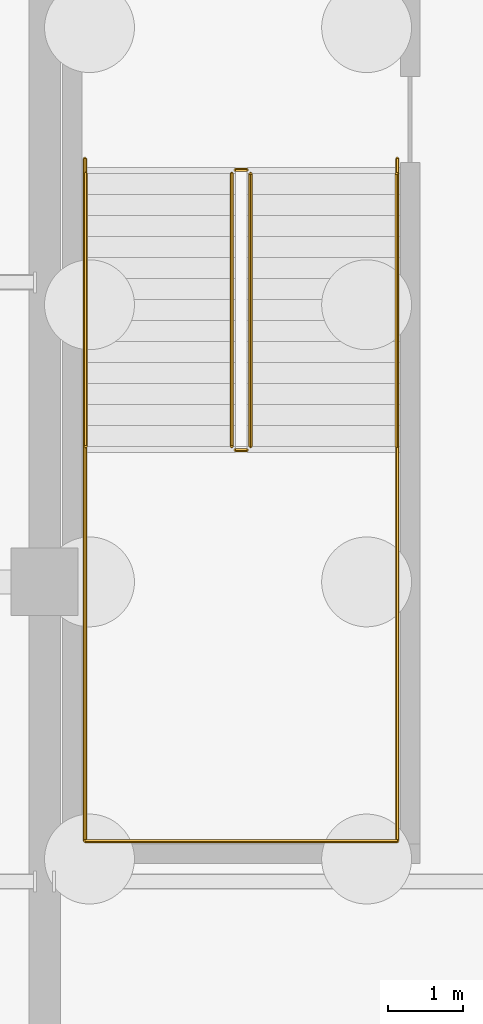
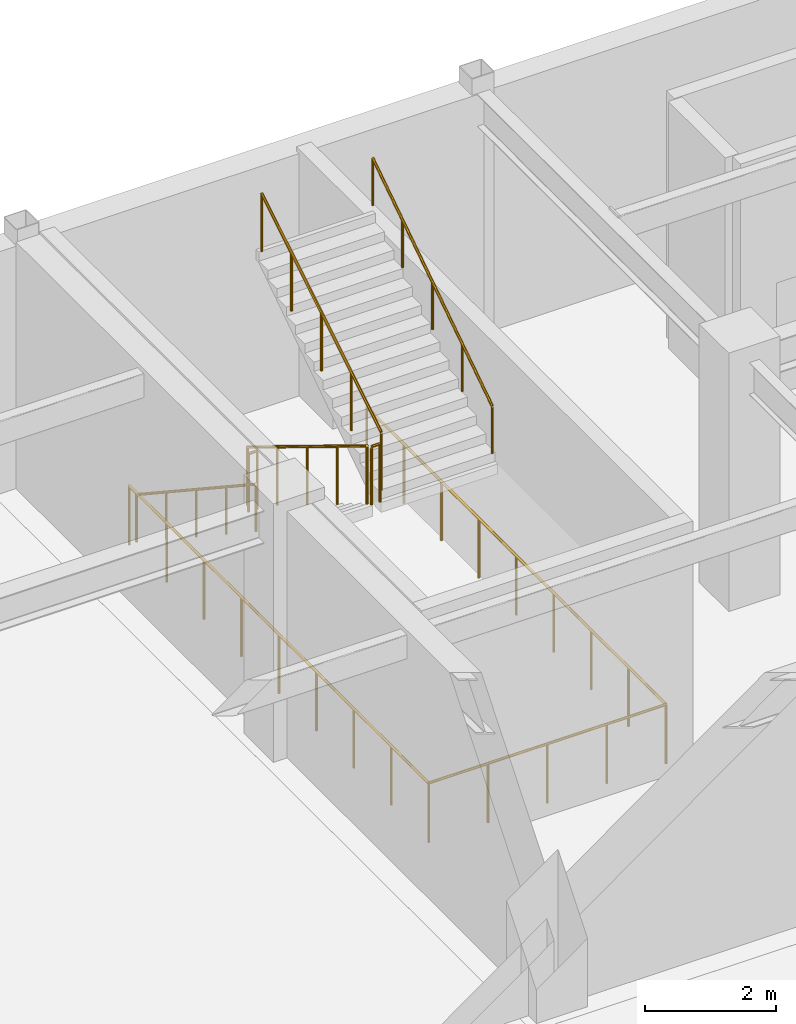
# One storey, part 101 of 105: 9 railings.
"""IFC4 building model written with IfcOpenShell, lengths in metres."""

from ifc_helpers import new_model, si_unit, direction, frame, origin, origin_2d, place, context, subcontext, project, spatial, circle, extrude, material, type_object, element, save


model = new_model("IFC4")

# Units and contexts
model_context = context("Model", 3, precision=1e-05, world=origin(), true_north=direction((0.0, 1.0)))
body_context = subcontext(model_context, "Body", "Model", "MODEL_VIEW")
ifc_project = project(units=[si_unit("LENGTHUNIT", "METRE"), si_unit("AREAUNIT", "SQUARE_METRE"), si_unit("VOLUMEUNIT", "CUBIC_METRE"), si_unit("PLANEANGLEUNIT", "RADIAN"), si_unit("MASSUNIT", "GRAM", prefix="KILO")], contexts=[model_context])

# Site, building, storey
site_placement = place(None, origin())
site = spatial("IfcSite", under=ifc_project, at=site_placement, CompositionType="ELEMENT")
building_placement = place(site_placement, origin())
building = spatial("IfcBuilding", under=site, at=building_placement, Name="Solmirada Galleria", CompositionType="ELEMENT")
storey_placement = place(building_placement, frame((0.0, 0.0, -4.800048828125)))
storey = spatial("IfcBuildingStorey", under=building, at=storey_placement, Name="B1", CompositionType="ELEMENT", Elevation=-4.800048828125)

# Railings
ifc_material = material(Name="Painted steel tubular railing", Category="steel")
railing_type_1 = type_object("IfcRailingType", Name="RAIL-STAIR-GUARD", PredefinedType="GUARDRAIL", material=ifc_material)
railing_1_placement = place(storey_placement, frame((130.5, 117.449951171875, 0.17138671875)))
element("IfcRailing", 1, at=railing_1_placement, inside=storey, type_object=railing_type_1, Name="B1 ST3 stair guard 1", PredefinedType="GUARDRAIL", context=body_context, shape_type="SweptSolid", body=[
    extrude(circle(Radius=0.02392578125, at=origin_2d()), frame((0.0, 0.0, 1.076171875), z_axis=(0.0, -0.852824790078, 0.522197163366), x_axis=(1.0, 0.0, 0.0)), (0.0, 0.0, 1.0), 4.26806640625),
    extrude(circle(Radius=0.02099609375, at=origin_2d()), origin(), (0.0, 0.0, 1.0), 1.048095703125),
    extrude(circle(Radius=0.02099609375, at=origin_2d()), frame((0.0, -0.909912109375, 0.55712890625)), (0.0, 0.0, 1.0), 1.048095703125),
    extrude(circle(Radius=0.02099609375, at=origin_2d()), frame((0.0, -1.81982421875, 1.1142578125)), (0.0, 0.0, 1.0), 1.048095703125),
    extrude(circle(Radius=0.02099609375, at=origin_2d()), frame((0.0, -2.72998046875, 1.671630859375)), (0.0, 0.0, 1.0), 1.048095703125),
    extrude(circle(Radius=0.02099609375, at=origin_2d()), frame((0.0, -3.639892578125, 2.228759765625)), (0.0, 0.0, 1.0), 1.048095703125),
])
railing_2_placement = place(storey_placement, frame((130.550048828125, 113.760009765625, 2.400146484375)))
element("IfcRailing", 2, at=railing_2_placement, inside=storey, type_object=railing_type_1, Name="B1 ST3 stair guard 2", PredefinedType="GUARDRAIL", context=body_context, shape_type="SweptSolid", body=[
    extrude(circle(Radius=0.02392578125, at=origin_2d()), frame((0.0, 0.0, 1.076171875), z_axis=(1.0, 0.0, 0.0), x_axis=(0.0, 1.0, 0.0)), (0.0, 0.0, 1.0), 0.14990234375),
    extrude(circle(Radius=0.02099609375, at=origin_2d()), origin(), (0.0, 0.0, 1.0), 1.048095703125),
    extrude(circle(Radius=0.02099609375, at=origin_2d()), frame((0.14990234375, 0.0, 0.0)), (0.0, 0.0, 1.0), 1.048095703125),
])
railing_3_placement = place(storey_placement, frame((130.75, 113.81005859375, 2.571533203125)))
element("IfcRailing", 3, at=railing_3_placement, inside=storey, type_object=railing_type_1, Name="B1 ST3 stair guard 3", PredefinedType="GUARDRAIL", context=body_context, shape_type="SweptSolid", body=[
    extrude(circle(Radius=0.02392578125, at=origin_2d()), frame((0.0, 0.0, 1.076171875), z_axis=(0.0, 0.852850264322, 0.5221555579), x_axis=(-1.0, 0.0, 0.0)), (0.0, 0.0, 1.0), 4.267822265625),
    extrude(circle(Radius=0.02099609375, at=origin_2d()), origin(), (0.0, 0.0, 1.0), 1.048095703125),
    extrude(circle(Radius=0.02099609375, at=origin_2d()), frame((0.0, 0.909912109375, 0.55712890625)), (0.0, 0.0, 1.0), 1.048095703125),
    extrude(circle(Radius=0.02099609375, at=origin_2d()), frame((0.0, 1.81982421875, 1.1142578125)), (0.0, 0.0, 1.0), 1.048095703125),
    extrude(circle(Radius=0.02099609375, at=origin_2d()), frame((0.0, 2.72998046875, 1.67138671875)), (0.0, 0.0, 1.0), 1.048095703125),
    extrude(circle(Radius=0.02099609375, at=origin_2d()), frame((0.0, 3.639892578125, 2.228515625)), (0.0, 0.0, 1.0), 1.048095703125),
])
railing_4_placement = place(storey_placement, frame((130.550048828125, 117.5, 0.0)))
element("IfcRailing", 4, at=railing_4_placement, inside=storey, type_object=railing_type_1, Name="B1 ST3 stair guard 4", PredefinedType="GUARDRAIL", context=body_context, shape_type="SweptSolid", body=[
    extrude(circle(Radius=0.02392578125, at=origin_2d()), frame((0.0, 0.0, 1.076171875), z_axis=(1.0, 0.0, 0.0), x_axis=(0.0, 1.0, 0.0)), (0.0, 0.0, 1.0), 0.14990234375),
    extrude(circle(Radius=0.02099609375, at=origin_2d()), origin(), (0.0, 0.0, 1.0), 1.048095703125),
    extrude(circle(Radius=0.02099609375, at=origin_2d()), frame((0.14990234375, 0.0, 0.0)), (0.0, 0.0, 1.0), 1.048095703125),
])
railing_5_placement = place(storey_placement, frame((132.7099609375, 117.64990234375, 0.0)))
element("IfcRailing", 5, at=railing_5_placement, inside=storey, type_object=railing_type_1, Name="Stair ST3 well edge guard B1-1", PredefinedType="GUARDRAIL", context=body_context, shape_type="SweptSolid", body=[
    extrude(circle(Radius=0.02392578125, at=origin_2d()), frame((0.0, 0.0, 1.09619140625), z_axis=(0.0, -1.0, 0.0), x_axis=(1.0, 0.0, 0.0)), (0.0, 0.0, 1.0), 9.10986328125),
    extrude(circle(Radius=0.02099609375, at=origin_2d()), origin(), (0.0, 0.0, 1.0), 1.068115234375),
    extrude(circle(Radius=0.02099609375, at=origin_2d()), frame((0.0, -1.138671875, 0.0)), (0.0, 0.0, 1.0), 1.068115234375),
    extrude(circle(Radius=0.02099609375, at=origin_2d()), frame((0.0, -2.27734375, 0.0)), (0.0, 0.0, 1.0), 1.068115234375),
    extrude(circle(Radius=0.02099609375, at=origin_2d()), frame((0.0, -3.416259765625, 0.0)), (0.0, 0.0, 1.0), 1.068115234375),
    extrude(circle(Radius=0.02099609375, at=origin_2d()), frame((0.0, -4.554931640625, 0.0)), (0.0, 0.0, 1.0), 1.068115234375),
    extrude(circle(Radius=0.02099609375, at=origin_2d()), frame((0.0, -5.693603515625, 0.0)), (0.0, 0.0, 1.0), 1.068115234375),
    extrude(circle(Radius=0.02099609375, at=origin_2d()), frame((0.0, -6.83251953125, 0.0)), (0.0, 0.0, 1.0), 1.068115234375),
    extrude(circle(Radius=0.02099609375, at=origin_2d()), frame((0.0, -7.97119140625, 0.0)), (0.0, 0.0, 1.0), 1.068115234375),
    extrude(circle(Radius=0.02099609375, at=origin_2d()), frame((0.0, -9.10986328125, 0.0)), (0.0, 0.0, 1.0), 1.068115234375),
])
railing_6_placement = place(storey_placement, frame((132.7099609375, 108.5400390625, 0.0)))
element("IfcRailing", 6, at=railing_6_placement, inside=storey, type_object=railing_type_1, Name="Stair ST3 well edge guard B1-2", PredefinedType="GUARDRAIL", context=body_context, shape_type="SweptSolid", body=[
    extrude(circle(Radius=0.02392578125, at=origin_2d()), frame((0.0, 0.0, 1.09619140625), z_axis=(-1.0, 0.0, 0.0), x_axis=(0.0, -1.0, 0.0)), (0.0, 0.0, 1.0), 4.169921875),
    extrude(circle(Radius=0.02099609375, at=origin_2d()), origin(), (0.0, 0.0, 1.0), 1.068115234375),
    extrude(circle(Radius=0.02099609375, at=origin_2d()), frame((-1.04248046875, 0.0, 0.0)), (0.0, 0.0, 1.0), 1.068115234375),
    extrude(circle(Radius=0.02099609375, at=origin_2d()), frame((-2.0849609375, 0.0, 0.0)), (0.0, 0.0, 1.0), 1.068115234375),
    extrude(circle(Radius=0.02099609375, at=origin_2d()), frame((-3.12744140625, 0.0, 0.0)), (0.0, 0.0, 1.0), 1.068115234375),
    extrude(circle(Radius=0.02099609375, at=origin_2d()), frame((-4.169921875, 0.0, 0.0)), (0.0, 0.0, 1.0), 1.068115234375),
])
railing_7_placement = place(storey_placement, frame((128.5400390625, 108.5400390625, 0.0)))
element("IfcRailing", 7, at=railing_7_placement, inside=storey, type_object=railing_type_1, Name="Stair ST3 well edge guard B1-3", PredefinedType="GUARDRAIL", context=body_context, shape_type="SweptSolid", body=[
    extrude(circle(Radius=0.02392578125, at=origin_2d()), frame((0.0, 0.0, 1.09619140625), z_axis=(0.0, 1.0, 0.0), x_axis=(-1.0, 0.0, 0.0)), (0.0, 0.0, 1.0), 9.10986328125),
    extrude(circle(Radius=0.02099609375, at=origin_2d()), origin(), (0.0, 0.0, 1.0), 1.068115234375),
    extrude(circle(Radius=0.02099609375, at=origin_2d()), frame((0.0, 1.138671875, 0.0)), (0.0, 0.0, 1.0), 1.068115234375),
    extrude(circle(Radius=0.02099609375, at=origin_2d()), frame((0.0, 2.27734375, 0.0)), (0.0, 0.0, 1.0), 1.068115234375),
    extrude(circle(Radius=0.02099609375, at=origin_2d()), frame((0.0, 3.416259765625, 0.0)), (0.0, 0.0, 1.0), 1.068115234375),
    extrude(circle(Radius=0.02099609375, at=origin_2d()), frame((0.0, 4.554931640625, 0.0)), (0.0, 0.0, 1.0), 1.068115234375),
    extrude(circle(Radius=0.02099609375, at=origin_2d()), frame((0.0, 5.693603515625, 0.0)), (0.0, 0.0, 1.0), 1.068115234375),
    extrude(circle(Radius=0.02099609375, at=origin_2d()), frame((0.0, 6.83251953125, 0.0)), (0.0, 0.0, 1.0), 1.068115234375),
    extrude(circle(Radius=0.02099609375, at=origin_2d()), frame((0.0, 7.97119140625, 0.0)), (0.0, 0.0, 1.0), 1.068115234375),
    extrude(circle(Radius=0.02099609375, at=origin_2d()), frame((0.0, 9.10986328125, 0.0)), (0.0, 0.0, 1.0), 1.068115234375),
])
railing_type_2 = type_object("IfcRailingType", Name="RAIL-STAIR-HAND", PredefinedType="HANDRAIL", material=ifc_material)
railing_8_placement = place(storey_placement, frame((128.550048828125, 117.449951171875, 0.17138671875)))
element("IfcRailing", 8, at=railing_8_placement, inside=storey, type_object=railing_type_2, Name="B1 ST3 stair handrail 1", PredefinedType="HANDRAIL", context=body_context, shape_type="SweptSolid", body=[
    extrude(circle(Radius=0.02392578125, at=origin_2d()), frame((0.0, 0.0, 0.8759765625), z_axis=(0.0, -0.834839479206, 0.550493454965), x_axis=(1.0, 0.0, 0.0)), (0.0, 0.0, 1.0), 4.360107421875),
    extrude(circle(Radius=0.02099609375, at=origin_2d()), origin(), (0.0, 0.0, 1.0), 0.847900390625),
    extrude(circle(Radius=0.02099609375, at=origin_2d()), frame((0.0, -0.909912109375, 0.60009765625)), (0.0, 0.0, 1.0), 0.847900390625),
    extrude(circle(Radius=0.02099609375, at=origin_2d()), frame((0.0, -1.81982421875, 1.2001953125)), (0.0, 0.0, 1.0), 0.847900390625),
    extrude(circle(Radius=0.02099609375, at=origin_2d()), frame((0.0, -2.72998046875, 1.800048828125)), (0.0, 0.0, 1.0), 0.847900390625),
    extrude(circle(Radius=0.02099609375, at=origin_2d()), frame((0.0, -3.639892578125, 2.400146484375)), (0.0, 0.0, 1.0), 0.847900390625),
])
railing_9_placement = place(storey_placement, frame((132.699951171875, 113.81005859375, 2.571533203125)))
element("IfcRailing", 9, at=railing_9_placement, inside=storey, type_object=railing_type_2, Name="B1 ST3 stair handrail 2", PredefinedType="HANDRAIL", context=body_context, shape_type="SweptSolid", body=[
    extrude(circle(Radius=0.02392578125, at=origin_2d()), frame((0.0, 0.0, 0.8759765625), z_axis=(0.0, 0.834865213223, 0.550454426587), x_axis=(-1.0, 0.0, 0.0)), (0.0, 0.0, 1.0), 4.35986328125),
    extrude(circle(Radius=0.02099609375, at=origin_2d()), origin(), (0.0, 0.0, 1.0), 0.847900390625),
    extrude(circle(Radius=0.02099609375, at=origin_2d()), frame((0.0, 0.909912109375, 0.60009765625)), (0.0, 0.0, 1.0), 0.847900390625),
    extrude(circle(Radius=0.02099609375, at=origin_2d()), frame((0.0, 1.81982421875, 1.199951171875)), (0.0, 0.0, 1.0), 0.847900390625),
    extrude(circle(Radius=0.02099609375, at=origin_2d()), frame((0.0, 2.72998046875, 1.7998046875)), (0.0, 0.0, 1.0), 0.847900390625),
    extrude(circle(Radius=0.02099609375, at=origin_2d()), frame((0.0, 3.639892578125, 2.39990234375)), (0.0, 0.0, 1.0), 0.847900390625),
])

save(model, "model.ifc")
